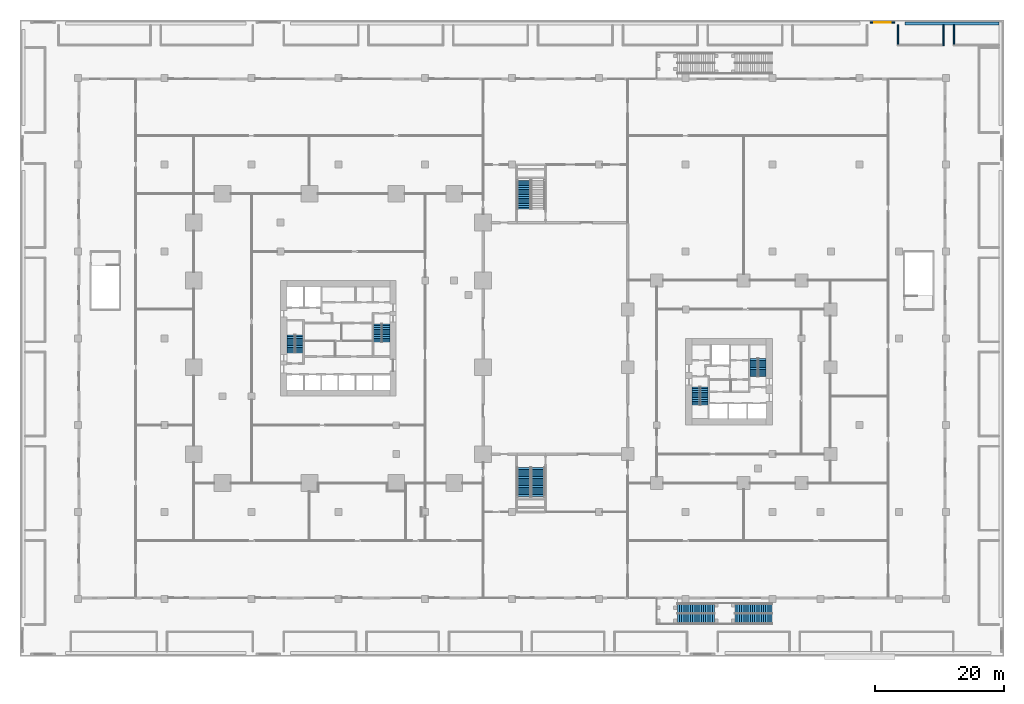
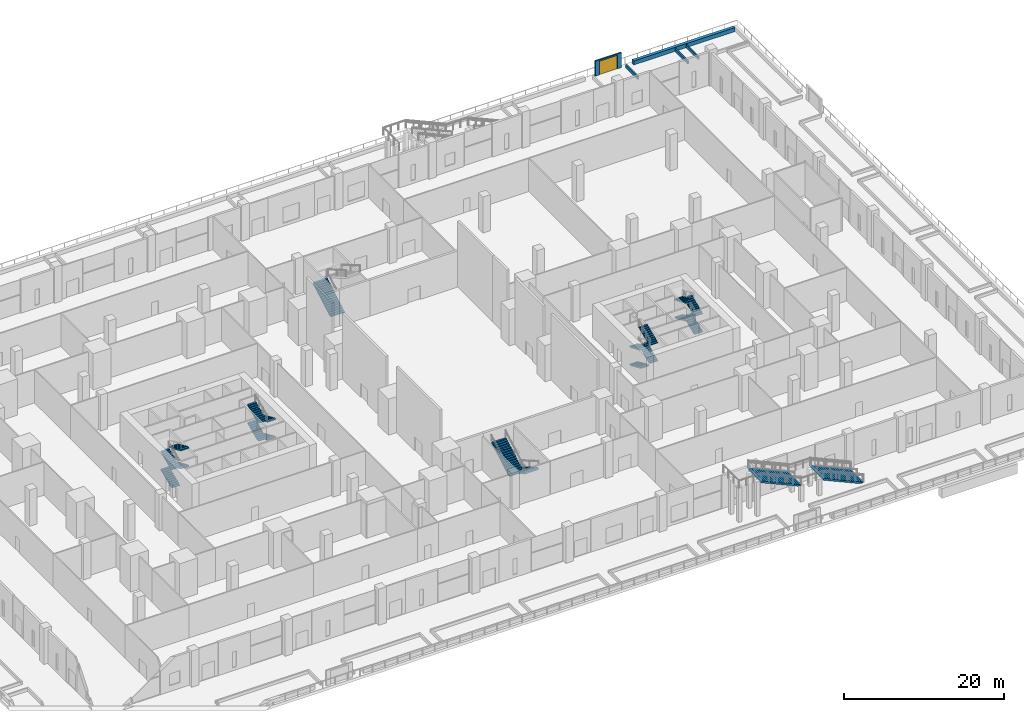
# One storey, part 40 of 47: 21 stair flights, 5 walls, 1 door, 1 opening, 7 elements without a shape of their own.
"""IFC4 building model written with IfcOpenShell, lengths in metres."""

from ifc_helpers import new_model, si_unit, direction, frame, frame_2d, origin, place, context, subcontext, project, spatial, polyline, rectangle, outline, extrude, material, layer, layer_set, type_object, element, fill, aggregate, save


model = new_model("IFC4")

# Units and contexts
model_context = context("Model", 3, precision=1e-05, world=origin(), true_north=direction((0.0, 1.0)))
body_context = subcontext(model_context, "Body", "Model", "MODEL_VIEW")
ifc_project = project(units=[si_unit("LENGTHUNIT", "METRE"), si_unit("AREAUNIT", "SQUARE_METRE"), si_unit("VOLUMEUNIT", "CUBIC_METRE"), si_unit("PLANEANGLEUNIT", "RADIAN"), si_unit("MASSUNIT", "GRAM", prefix="KILO")], contexts=[model_context])

# Site, building, storey
site_placement = place(None, origin())
site = spatial("IfcSite", under=ifc_project, at=site_placement, CompositionType="ELEMENT")
building_placement = place(site_placement, origin())
building = spatial("IfcBuilding", under=site, at=building_placement, Name="Altepetl Exchange Towers", CompositionType="ELEMENT")
storey_placement = place(building_placement, frame((0.0, 0.0, 6.0)))
storey = spatial("IfcBuildingStorey", under=building, at=storey_placement, Name="L01 Retail podium", CompositionType="ELEMENT", Elevation=6.0)

# Wall, opening, door
ifc_material_1 = material(Name="Reinforced concrete C35/45", Category="concrete")
ifc_layer_1 = layer(ifc_material_1, 0.199951171875)
ifc_layer_set_1 = layer_set([ifc_layer_1], Name="Reinforced concrete C35/45")
wall_type_1 = type_object("IfcWallType", Name="Garden gate screen wall 200", PredefinedType="SOLIDWALL", material=ifc_layer_set_1)
wall_1_placement = place(storey_placement, frame((132.199951171875, 98.60009765625, 0.0)))
wall_1 = element("IfcWall", 1, at=wall_1_placement, inside=storey, type_object=wall_type_1, Name="wall:P:L01:gateG8", PredefinedType="SOLIDWALL", context=body_context, shape_type="SweptSolid", body=[
    extrude(rectangle(XDim=3.800048828125, YDim=0.199951171875, at=frame_2d((1.89990234375, 0.0))), origin(), (0.0, 0.0, 1.0), 2.300048828125),
])
opening_placement = place(wall_1_placement, frame((0.60009765625, 0.0, 0.0)))
opening = element("IfcOpeningElement", 2, at=opening_placement, cuts=wall_1, Name="Opening L01.P063", PredefinedType="OPENING", context=body_context, shape_type="SweptSolid", body=[
    extrude(rectangle(XDim=2.60009765625, YDim=2.10009765625, at=frame_2d((1.300048828125, 1.050048828125))), frame((0.0, 0.10986328125, 0.0), z_axis=(0.0, -1.0, 0.0), x_axis=(1.0, 0.0, 0.0)), (0.0, 0.0, 1.0), 0.219970703125),
])
ifc_material_2 = material(Name="Painted steel bars and timber", Category="steel")
door_type = type_object("IfcDoorType", Name="Garden gate 2600 x 2100 double leaf", OperationType="DOUBLE_DOOR_SINGLE_SWING", PredefinedType="GATE", material=ifc_material_2)
door_placement = place(opening_placement, origin())
door = element("IfcDoor", 3, at=door_placement, inside=storey, type_object=door_type, Name="door:P:L01:063", OperationType="DOUBLE_DOOR_SINGLE_SWING", OverallHeight=2.10009765625, OverallWidth=2.60009765625, PredefinedType="GATE", context=body_context, shape_type="SweptSolid", body=[
    extrude(rectangle(XDim=2.60009765625, YDim=2.10009765625, at=frame_2d((1.300048828125, 1.050048828125))), frame((0.0, 0.02490234375, 0.0), z_axis=(0.0, -1.0, 0.0), x_axis=(1.0, 0.0, 0.0)), (0.0, 0.0, 1.0), 0.050048828125),
])
fill(opening, door)

# Walls
ifc_material_3 = material(Name="Concrete C30/37", Category="concrete")
ifc_layer_2 = layer(ifc_material_3, 0.449951171875)
ifc_layer_set_2 = layer_set([ifc_layer_2], Name="Concrete C30/37")
wall_type_2 = type_object("IfcWallType", Name="Planter wall 450 concrete", PredefinedType="SOLIDWALL", material=ifc_layer_set_2)
wall_2_placement = place(storey_placement, frame((152.22509765625, 98.449951171875, 0.0), z_axis=(0.0, 0.0, 1.0), x_axis=(-1.0, 0.0, 0.0)))
element("IfcWall", 4, at=wall_2_placement, inside=storey, type_object=wall_type_2, Name="Planter bed wall", PredefinedType="SOLIDWALL", context=body_context, shape_type="SweptSolid", body=[
    extrude(rectangle(XDim=14.632568359375, YDim=0.449951171875, at=frame_2d((7.31640625, 0.0))), origin(), (0.0, 0.0, 1.0), 0.60009765625),
])
ifc_layer_3 = layer(ifc_material_1, 0.199951171875)
ifc_layer_set_3 = layer_set([ifc_layer_3], Name="Reinforced concrete C35/45")
wall_type_3 = type_object("IfcWallType", Name="Planting bed curb 200", PredefinedType="SOLIDWALL", material=ifc_layer_set_3)
wall_3_placement = place(storey_placement, frame((143.612548828125, 95.02490234375, 0.0), z_axis=(0.0, 0.0, 1.0), x_axis=(0.0, 1.0, 0.0)))
element("IfcWall", 5, at=wall_3_placement, inside=storey, type_object=wall_type_3, Name="wall:P:L01:CB11e", PredefinedType="SOLIDWALL", context=body_context, shape_type="SweptSolid", body=[
    extrude(rectangle(XDim=3.2001953125, YDim=0.199951171875, at=frame_2d((1.60009765625, 0.0))), origin(), (0.0, 0.0, 1.0), 0.449951171875),
])
for number, where, z_axis, x_axis, name in (
    (6, (136.5, 95.22509765625, 0.0), (0.0, 0.0, 1.0), (0.0, 1.0, 0.0), "wall:P:L01:CB11w"),
    (7, (145.21240234375, 95.22509765625, 0.0), (0.0, 0.0, 1.0), (0.0, 1.0, 0.0), "wall:P:L01:CB12w"),
):
    element("IfcWall", number, at=place(storey_placement, frame(where, z_axis=z_axis, x_axis=x_axis)), inside=storey, type_object=wall_type_3, Name=name, PredefinedType="SOLIDWALL", context=body_context, shape_type="SweptSolid", body=[
        extrude(rectangle(XDim=3.0, YDim=0.199951171875, at=frame_2d((1.5, 0.0))), origin(), (0.0, 0.0, 1.0), 0.449951171875),
    ])

# Stair, stair flights
stair_type_1 = type_object("IfcStairType", Name="Exit garden steps 3200", PredefinedType="TWO_STRAIGHT_RUN_STAIR", material=ifc_material_1)
stair_1_placement = place(storey_placement, origin())
stair_1 = element("IfcStair", 8, at=stair_1_placement, inside=storey, type_object=stair_type_1, Name="ST-G7 exit garden steps", PredefinedType="TWO_STRAIGHT_RUN_STAIR")
stair_flight_type_1 = type_object("IfcStairFlightType", Name="Exit garden steps flight 3200", PredefinedType="STRAIGHT", material=ifc_material_1)
stair_flight_1_placement = place(storey_placement, frame((107.97998046875, 6.699951171875, 2.75), z_axis=(0.0, 0.0, 1.0), x_axis=(-1.0, 0.0, 0.0)))
stair_flight_1 = element("IfcStairFlight", 9, at=stair_flight_1_placement, type_object=stair_flight_type_1, Name="ST-G7 flight 1", NumberOfRisers=18, NumberOfTreads=17, PredefinedType="STRAIGHT", RiserHeight=0.152778, TreadLength=0.34, context=body_context, shape_type="SweptSolid", body=[
    extrude(outline(polyline([(0.0, 0.0), (0.0, 0.15283203125), (0.340087890625, 0.15283203125), (0.340087890625, 0.3056640625), (0.679931640625, 0.3056640625), (0.679931640625, 0.458251953125), (1.02001953125, 0.458251953125), (1.02001953125, 0.611083984375), (1.360107421875, 0.611083984375), (1.360107421875, 0.763916015625), (1.699951171875, 0.763916015625), (1.699951171875, 0.916748046875), (2.0400390625, 0.916748046875), (2.0400390625, 1.0693359375), (2.3798828125, 1.0693359375), (2.3798828125, 1.22216796875), (2.719970703125, 1.22216796875), (2.719970703125, 1.375), (3.06005859375, 1.375), (3.06005859375, 1.52783203125), (3.39990234375, 1.52783203125), (3.39990234375, 1.6806640625), (3.739990234375, 1.6806640625), (3.739990234375, 1.833251953125), (4.080078125, 1.833251953125), (4.080078125, 1.986083984375), (4.419921875, 1.986083984375), (4.419921875, 2.138916015625), (4.760009765625, 2.138916015625), (4.760009765625, 2.291748046875), (5.10009765625, 2.291748046875), (5.10009765625, 2.4443359375), (5.43994140625, 2.4443359375), (5.43994140625, 2.59716796875), (5.780029296875, 2.59716796875), (5.780029296875, 2.75), (5.780029296875, 2.3779296875), (0.48779296875, 0.0), (0.0, 0.0)])), frame((0.0, 1.60009765625, 0.0), z_axis=(0.0, -1.0, 0.0), x_axis=(1.0, 0.0, 0.0)), (0.0, 0.0, 1.0), 3.199951171875),
])
stair_flight_2_placement = place(storey_placement, frame((116.9599609375, 6.699951171875, 0.0), z_axis=(0.0, 0.0, 1.0), x_axis=(-1.0, 0.0, 0.0)))
stair_flight_2 = element("IfcStairFlight", 10, at=stair_flight_2_placement, type_object=stair_flight_type_1, Name="ST-G7 flight 2", NumberOfRisers=18, NumberOfTreads=17, PredefinedType="STRAIGHT", RiserHeight=0.152778, TreadLength=0.34, context=body_context, shape_type="SweptSolid", body=[
    extrude(outline(polyline([(0.0, 0.0), (0.0, 0.15283203125), (0.340087890625, 0.15283203125), (0.340087890625, 0.3056640625), (0.679931640625, 0.3056640625), (0.679931640625, 0.458251953125), (1.02001953125, 0.458251953125), (1.02001953125, 0.611083984375), (1.360107421875, 0.611083984375), (1.360107421875, 0.763916015625), (1.699951171875, 0.763916015625), (1.699951171875, 0.916748046875), (2.0400390625, 0.916748046875), (2.0400390625, 1.0693359375), (2.3798828125, 1.0693359375), (2.3798828125, 1.22216796875), (2.719970703125, 1.22216796875), (2.719970703125, 1.375), (3.06005859375, 1.375), (3.06005859375, 1.52783203125), (3.39990234375, 1.52783203125), (3.39990234375, 1.6806640625), (3.739990234375, 1.6806640625), (3.739990234375, 1.833251953125), (4.080078125, 1.833251953125), (4.080078125, 1.986083984375), (4.419921875, 1.986083984375), (4.419921875, 2.138916015625), (4.760009765625, 2.138916015625), (4.760009765625, 2.291748046875), (5.10009765625, 2.291748046875), (5.10009765625, 2.4443359375), (5.43994140625, 2.4443359375), (5.43994140625, 2.59716796875), (5.780029296875, 2.59716796875), (5.780029296875, 2.75), (5.780029296875, 2.3779296875), (0.48779296875, 0.0), (0.0, 0.0)])), frame((0.0, 1.60009765625, 0.0), z_axis=(0.0, -1.0, 0.0), x_axis=(1.0, 0.0, 0.0)), (0.0, 0.0, 1.0), 3.199951171875),
])
aggregate(stair_1, [stair_flight_1, stair_flight_2])

ifc_material_4 = material(Name="Concrete C40/50", Category="concrete")
stair_type_2 = type_object("IfcStairType", Name="Exit stair 1200 flights dogleg", PredefinedType="HALF_TURN_STAIR", material=ifc_material_4)
stair_2_placement = place(storey_placement, origin())
stair_2 = element("IfcStair", 11, at=stair_2_placement, inside=storey, type_object=stair_type_2, Name="Exit stair 1", PredefinedType="HALF_TURN_STAIR")
stair_flight_type_2 = type_object("IfcStairFlightType", Name="Stair flight 1200 wide", PredefinedType="STRAIGHT", material=ifc_material_4)
stair_flight_3_placement = place(storey_placement, frame((42.10009765625, 47.25, 0.0), z_axis=(0.0, 0.0, 1.0), x_axis=(0.0, 1.0, 0.0)))
stair_flight_3 = element("IfcStairFlight", 12, at=stair_flight_3_placement, type_object=stair_flight_type_2, Name="ST-A1a flight 1", NumberOfRisers=11, NumberOfTreads=10, PredefinedType="STRAIGHT", RiserHeight=0.125, TreadLength=0.28, context=body_context, shape_type="SweptSolid", body=[
    extrude(outline(polyline([(0.0, 0.0), (0.0, 0.125), (0.280029296875, 0.125), (0.280029296875, 0.25), (0.56005859375, 0.25), (0.56005859375, 0.375), (0.840087890625, 0.375), (0.840087890625, 0.5), (1.1201171875, 0.5), (1.1201171875, 0.625), (1.39990234375, 0.625), (1.39990234375, 0.75), (1.679931640625, 0.75), (1.679931640625, 0.875), (1.9599609375, 0.875), (1.9599609375, 1.0), (2.239990234375, 1.0), (2.239990234375, 1.125), (2.52001953125, 1.125), (2.52001953125, 1.25), (2.800048828125, 1.25), (2.800048828125, 1.375), (2.800048828125, 1.0859375), (0.36767578125, 0.0), (0.0, 0.0)])), frame((0.0, 0.60009765625, 0.0), z_axis=(0.0, -1.0, 0.0), x_axis=(1.0, 0.0, 0.0)), (0.0, 0.0, 1.0), 1.199951171875),
])
stair_flight_4_placement = place(storey_placement, frame((43.39990234375, 50.050048828125, 1.375), z_axis=(0.0, 0.0, 1.0), x_axis=(0.0, -1.0, 0.0)))
stair_flight_4 = element("IfcStairFlight", 13, at=stair_flight_4_placement, type_object=stair_flight_type_2, Name="ST-A1a flight 2", NumberOfRisers=11, NumberOfTreads=10, PredefinedType="STRAIGHT", RiserHeight=0.125, TreadLength=0.28, context=body_context, shape_type="SweptSolid", body=[
    extrude(outline(polyline([(0.0, 0.0), (0.0, 0.125), (0.280029296875, 0.125), (0.280029296875, 0.25), (0.56005859375, 0.25), (0.56005859375, 0.375), (0.840087890625, 0.375), (0.840087890625, 0.5), (1.1201171875, 0.5), (1.1201171875, 0.625), (1.39990234375, 0.625), (1.39990234375, 0.75), (1.679931640625, 0.75), (1.679931640625, 0.875), (1.9599609375, 0.875), (1.9599609375, 1.0), (2.239990234375, 1.0), (2.239990234375, 1.125), (2.52001953125, 1.125), (2.52001953125, 1.25), (2.800048828125, 1.25), (2.800048828125, 1.375), (2.800048828125, 1.0859375), (0.36767578125, 0.0), (0.0, 0.0)])), frame((0.0, 0.60009765625, 0.0), z_axis=(0.0, -1.0, 0.0), x_axis=(1.0, 0.0, 0.0)), (0.0, 0.0, 1.0), 1.199951171875),
])
stair_flight_5_placement = place(storey_placement, frame((42.10009765625, 47.25, 2.75), z_axis=(0.0, 0.0, 1.0), x_axis=(0.0, 1.0, 0.0)))
stair_flight_5 = element("IfcStairFlight", 14, at=stair_flight_5_placement, type_object=stair_flight_type_2, Name="ST-A1a flight 3", NumberOfRisers=11, NumberOfTreads=10, PredefinedType="STRAIGHT", RiserHeight=0.125, TreadLength=0.28, context=body_context, shape_type="SweptSolid", body=[
    extrude(outline(polyline([(0.0, 0.0), (0.0, 0.125), (0.280029296875, 0.125), (0.280029296875, 0.25), (0.56005859375, 0.25), (0.56005859375, 0.375), (0.840087890625, 0.375), (0.840087890625, 0.5), (1.1201171875, 0.5), (1.1201171875, 0.625), (1.39990234375, 0.625), (1.39990234375, 0.75), (1.679931640625, 0.75), (1.679931640625, 0.875), (1.9599609375, 0.875), (1.9599609375, 1.0), (2.239990234375, 1.0), (2.239990234375, 1.125), (2.52001953125, 1.125), (2.52001953125, 1.25), (2.800048828125, 1.25), (2.800048828125, 1.375), (2.800048828125, 1.0859375), (0.36767578125, 0.0), (0.0, 0.0)])), frame((0.0, 0.60009765625, 0.0), z_axis=(0.0, -1.0, 0.0), x_axis=(1.0, 0.0, 0.0)), (0.0, 0.0, 1.0), 1.199951171875),
])
stair_flight_6_placement = place(storey_placement, frame((43.39990234375, 50.050048828125, 4.125), z_axis=(0.0, 0.0, 1.0), x_axis=(0.0, -1.0, 0.0)))
stair_flight_6 = element("IfcStairFlight", 15, at=stair_flight_6_placement, type_object=stair_flight_type_2, Name="ST-A1a flight 4", NumberOfRisers=11, NumberOfTreads=10, PredefinedType="STRAIGHT", RiserHeight=0.125, TreadLength=0.28, context=body_context, shape_type="SweptSolid", body=[
    extrude(outline(polyline([(0.0, 0.0), (0.0, 0.125), (0.280029296875, 0.125), (0.280029296875, 0.25), (0.56005859375, 0.25), (0.56005859375, 0.375), (0.840087890625, 0.375), (0.840087890625, 0.5), (1.1201171875, 0.5), (1.1201171875, 0.625), (1.39990234375, 0.625), (1.39990234375, 0.75), (1.679931640625, 0.75), (1.679931640625, 0.875), (1.9599609375, 0.875), (1.9599609375, 1.0), (2.239990234375, 1.0), (2.239990234375, 1.125), (2.52001953125, 1.125), (2.52001953125, 1.25), (2.800048828125, 1.25), (2.800048828125, 1.375), (2.800048828125, 1.0859375), (0.36767578125, 0.0), (0.0, 0.0)])), frame((0.0, 0.60009765625, 0.0), z_axis=(0.0, -1.0, 0.0), x_axis=(1.0, 0.0, 0.0)), (0.0, 0.0, 1.0), 1.199951171875),
])
aggregate(stair_2, [stair_flight_3, stair_flight_4, stair_flight_5, stair_flight_6])

stair_3_placement = place(storey_placement, origin())
stair_3 = element("IfcStair", 16, at=stair_3_placement, inside=storey, type_object=stair_type_2, Name="Exit stair 2", PredefinedType="HALF_TURN_STAIR")
stair_flight_7_placement = place(storey_placement, frame((56.89990234375, 51.75, 0.0), z_axis=(0.0, 0.0, 1.0), x_axis=(0.0, -1.0, 0.0)))
stair_flight_7 = element("IfcStairFlight", 17, at=stair_flight_7_placement, type_object=stair_flight_type_2, Name="ST-A2a flight 1", NumberOfRisers=11, NumberOfTreads=10, PredefinedType="STRAIGHT", RiserHeight=0.125, TreadLength=0.28, context=body_context, shape_type="SweptSolid", body=[
    extrude(outline(polyline([(0.0, 0.0), (0.0, 0.125), (0.280029296875, 0.125), (0.280029296875, 0.25), (0.56005859375, 0.25), (0.56005859375, 0.375), (0.840087890625, 0.375), (0.840087890625, 0.5), (1.1201171875, 0.5), (1.1201171875, 0.625), (1.39990234375, 0.625), (1.39990234375, 0.75), (1.679931640625, 0.75), (1.679931640625, 0.875), (1.9599609375, 0.875), (1.9599609375, 1.0), (2.239990234375, 1.0), (2.239990234375, 1.125), (2.52001953125, 1.125), (2.52001953125, 1.25), (2.800048828125, 1.25), (2.800048828125, 1.375), (2.800048828125, 1.0859375), (0.36767578125, 0.0), (0.0, 0.0)])), frame((0.0, 0.60009765625, 0.0), z_axis=(0.0, -1.0, 0.0), x_axis=(1.0, 0.0, 0.0)), (0.0, 0.0, 1.0), 1.199951171875),
])
stair_flight_8_placement = place(storey_placement, frame((55.60009765625, 48.949951171875, 1.375), z_axis=(0.0, 0.0, 1.0), x_axis=(0.0, 1.0, 0.0)))
stair_flight_8 = element("IfcStairFlight", 18, at=stair_flight_8_placement, type_object=stair_flight_type_2, Name="ST-A2a flight 2", NumberOfRisers=11, NumberOfTreads=10, PredefinedType="STRAIGHT", RiserHeight=0.125, TreadLength=0.28, context=body_context, shape_type="SweptSolid", body=[
    extrude(outline(polyline([(0.0, 0.0), (0.0, 0.125), (0.280029296875, 0.125), (0.280029296875, 0.25), (0.56005859375, 0.25), (0.56005859375, 0.375), (0.840087890625, 0.375), (0.840087890625, 0.5), (1.1201171875, 0.5), (1.1201171875, 0.625), (1.39990234375, 0.625), (1.39990234375, 0.75), (1.679931640625, 0.75), (1.679931640625, 0.875), (1.9599609375, 0.875), (1.9599609375, 1.0), (2.239990234375, 1.0), (2.239990234375, 1.125), (2.52001953125, 1.125), (2.52001953125, 1.25), (2.800048828125, 1.25), (2.800048828125, 1.375), (2.800048828125, 1.0859375), (0.36767578125, 0.0), (0.0, 0.0)])), frame((0.0, 0.60009765625, 0.0), z_axis=(0.0, -1.0, 0.0), x_axis=(1.0, 0.0, 0.0)), (0.0, 0.0, 1.0), 1.199951171875),
])
stair_flight_9_placement = place(storey_placement, frame((56.89990234375, 51.75, 2.75), z_axis=(0.0, 0.0, 1.0), x_axis=(0.0, -1.0, 0.0)))
stair_flight_9 = element("IfcStairFlight", 19, at=stair_flight_9_placement, type_object=stair_flight_type_2, Name="ST-A2a flight 3", NumberOfRisers=11, NumberOfTreads=10, PredefinedType="STRAIGHT", RiserHeight=0.125, TreadLength=0.28, context=body_context, shape_type="SweptSolid", body=[
    extrude(outline(polyline([(0.0, 0.0), (0.0, 0.125), (0.280029296875, 0.125), (0.280029296875, 0.25), (0.56005859375, 0.25), (0.56005859375, 0.375), (0.840087890625, 0.375), (0.840087890625, 0.5), (1.1201171875, 0.5), (1.1201171875, 0.625), (1.39990234375, 0.625), (1.39990234375, 0.75), (1.679931640625, 0.75), (1.679931640625, 0.875), (1.9599609375, 0.875), (1.9599609375, 1.0), (2.239990234375, 1.0), (2.239990234375, 1.125), (2.52001953125, 1.125), (2.52001953125, 1.25), (2.800048828125, 1.25), (2.800048828125, 1.375), (2.800048828125, 1.0859375), (0.36767578125, 0.0), (0.0, 0.0)])), frame((0.0, 0.60009765625, 0.0), z_axis=(0.0, -1.0, 0.0), x_axis=(1.0, 0.0, 0.0)), (0.0, 0.0, 1.0), 1.199951171875),
])
stair_flight_10_placement = place(storey_placement, frame((55.60009765625, 48.949951171875, 4.125), z_axis=(0.0, 0.0, 1.0), x_axis=(0.0, 1.0, 0.0)))
stair_flight_10 = element("IfcStairFlight", 20, at=stair_flight_10_placement, type_object=stair_flight_type_2, Name="ST-A2a flight 4", NumberOfRisers=11, NumberOfTreads=10, PredefinedType="STRAIGHT", RiserHeight=0.125, TreadLength=0.28, context=body_context, shape_type="SweptSolid", body=[
    extrude(outline(polyline([(0.0, 0.0), (0.0, 0.125), (0.280029296875, 0.125), (0.280029296875, 0.25), (0.56005859375, 0.25), (0.56005859375, 0.375), (0.840087890625, 0.375), (0.840087890625, 0.5), (1.1201171875, 0.5), (1.1201171875, 0.625), (1.39990234375, 0.625), (1.39990234375, 0.75), (1.679931640625, 0.75), (1.679931640625, 0.875), (1.9599609375, 0.875), (1.9599609375, 1.0), (2.239990234375, 1.0), (2.239990234375, 1.125), (2.52001953125, 1.125), (2.52001953125, 1.25), (2.800048828125, 1.25), (2.800048828125, 1.375), (2.800048828125, 1.0859375), (0.36767578125, 0.0), (0.0, 0.0)])), frame((0.0, 0.60009765625, 0.0), z_axis=(0.0, -1.0, 0.0), x_axis=(1.0, 0.0, 0.0)), (0.0, 0.0, 1.0), 1.199951171875),
])
aggregate(stair_3, [stair_flight_7, stair_flight_8, stair_flight_9, stair_flight_10])

stair_4_placement = place(storey_placement, origin())
stair_4 = element("IfcStair", 21, at=stair_4_placement, inside=storey, type_object=stair_type_2, Name="Exit stair 1", PredefinedType="HALF_TURN_STAIR")
stair_flight_11_placement = place(storey_placement, frame((105.10009765625, 41.949951171875, 0.0), z_axis=(0.0, 0.0, 1.0), x_axis=(0.0, -1.0, 0.0)))
stair_flight_11 = element("IfcStairFlight", 22, at=stair_flight_11_placement, type_object=stair_flight_type_2, Name="ST-B1a flight 1", NumberOfRisers=11, NumberOfTreads=10, PredefinedType="STRAIGHT", RiserHeight=0.125, TreadLength=0.28, context=body_context, shape_type="SweptSolid", body=[
    extrude(outline(polyline([(0.0, 0.0), (0.0, 0.125), (0.280029296875, 0.125), (0.280029296875, 0.25), (0.56005859375, 0.25), (0.56005859375, 0.375), (0.840087890625, 0.375), (0.840087890625, 0.5), (1.1201171875, 0.5), (1.1201171875, 0.625), (1.39990234375, 0.625), (1.39990234375, 0.75), (1.679931640625, 0.75), (1.679931640625, 0.875), (1.9599609375, 0.875), (1.9599609375, 1.0), (2.239990234375, 1.0), (2.239990234375, 1.125), (2.52001953125, 1.125), (2.52001953125, 1.25), (2.800048828125, 1.25), (2.800048828125, 1.375), (2.800048828125, 1.0859375), (0.36767578125, 0.0), (0.0, 0.0)])), frame((0.0, 0.60009765625, 0.0), z_axis=(0.0, -1.0, 0.0), x_axis=(1.0, 0.0, 0.0)), (0.0, 0.0, 1.0), 1.199951171875),
])
stair_flight_12_placement = place(storey_placement, frame((106.39990234375, 39.14990234375, 1.375), z_axis=(0.0, 0.0, 1.0), x_axis=(0.0, 1.0, 0.0)))
stair_flight_12 = element("IfcStairFlight", 23, at=stair_flight_12_placement, type_object=stair_flight_type_2, Name="ST-B1a flight 2", NumberOfRisers=11, NumberOfTreads=10, PredefinedType="STRAIGHT", RiserHeight=0.125, TreadLength=0.28, context=body_context, shape_type="SweptSolid", body=[
    extrude(outline(polyline([(0.0, 0.0), (0.0, 0.125), (0.280029296875, 0.125), (0.280029296875, 0.25), (0.56005859375, 0.25), (0.56005859375, 0.375), (0.840087890625, 0.375), (0.840087890625, 0.5), (1.1201171875, 0.5), (1.1201171875, 0.625), (1.39990234375, 0.625), (1.39990234375, 0.75), (1.679931640625, 0.75), (1.679931640625, 0.875), (1.9599609375, 0.875), (1.9599609375, 1.0), (2.239990234375, 1.0), (2.239990234375, 1.125), (2.52001953125, 1.125), (2.52001953125, 1.25), (2.800048828125, 1.25), (2.800048828125, 1.375), (2.800048828125, 1.0859375), (0.36767578125, 0.0), (0.0, 0.0)])), frame((0.0, 0.60009765625, 0.0), z_axis=(0.0, -1.0, 0.0), x_axis=(1.0, 0.0, 0.0)), (0.0, 0.0, 1.0), 1.199951171875),
])
stair_flight_13_placement = place(storey_placement, frame((105.10009765625, 41.949951171875, 2.75), z_axis=(0.0, 0.0, 1.0), x_axis=(0.0, -1.0, 0.0)))
stair_flight_13 = element("IfcStairFlight", 24, at=stair_flight_13_placement, type_object=stair_flight_type_2, Name="ST-B1a flight 3", NumberOfRisers=11, NumberOfTreads=10, PredefinedType="STRAIGHT", RiserHeight=0.125, TreadLength=0.28, context=body_context, shape_type="SweptSolid", body=[
    extrude(outline(polyline([(0.0, 0.0), (0.0, 0.125), (0.280029296875, 0.125), (0.280029296875, 0.25), (0.56005859375, 0.25), (0.56005859375, 0.375), (0.840087890625, 0.375), (0.840087890625, 0.5), (1.1201171875, 0.5), (1.1201171875, 0.625), (1.39990234375, 0.625), (1.39990234375, 0.75), (1.679931640625, 0.75), (1.679931640625, 0.875), (1.9599609375, 0.875), (1.9599609375, 1.0), (2.239990234375, 1.0), (2.239990234375, 1.125), (2.52001953125, 1.125), (2.52001953125, 1.25), (2.800048828125, 1.25), (2.800048828125, 1.375), (2.800048828125, 1.0859375), (0.36767578125, 0.0), (0.0, 0.0)])), frame((0.0, 0.60009765625, 0.0), z_axis=(0.0, -1.0, 0.0), x_axis=(1.0, 0.0, 0.0)), (0.0, 0.0, 1.0), 1.199951171875),
])
stair_flight_14_placement = place(storey_placement, frame((106.39990234375, 39.14990234375, 4.125), z_axis=(0.0, 0.0, 1.0), x_axis=(0.0, 1.0, 0.0)))
stair_flight_14 = element("IfcStairFlight", 25, at=stair_flight_14_placement, type_object=stair_flight_type_2, Name="ST-B1a flight 4", NumberOfRisers=11, NumberOfTreads=10, PredefinedType="STRAIGHT", RiserHeight=0.125, TreadLength=0.28, context=body_context, shape_type="SweptSolid", body=[
    extrude(outline(polyline([(0.0, 0.0), (0.0, 0.125), (0.280029296875, 0.125), (0.280029296875, 0.25), (0.56005859375, 0.25), (0.56005859375, 0.375), (0.840087890625, 0.375), (0.840087890625, 0.5), (1.1201171875, 0.5), (1.1201171875, 0.625), (1.39990234375, 0.625), (1.39990234375, 0.75), (1.679931640625, 0.75), (1.679931640625, 0.875), (1.9599609375, 0.875), (1.9599609375, 1.0), (2.239990234375, 1.0), (2.239990234375, 1.125), (2.52001953125, 1.125), (2.52001953125, 1.25), (2.800048828125, 1.25), (2.800048828125, 1.375), (2.800048828125, 1.0859375), (0.36767578125, 0.0), (0.0, 0.0)])), frame((0.0, 0.60009765625, 0.0), z_axis=(0.0, -1.0, 0.0), x_axis=(1.0, 0.0, 0.0)), (0.0, 0.0, 1.0), 1.199951171875),
])
aggregate(stair_4, [stair_flight_11, stair_flight_12, stair_flight_13, stair_flight_14])

stair_5_placement = place(storey_placement, origin())
stair_5 = element("IfcStair", 26, at=stair_5_placement, inside=storey, type_object=stair_type_2, Name="Exit stair 2", PredefinedType="HALF_TURN_STAIR")
stair_flight_15_placement = place(storey_placement, frame((115.39990234375, 43.550048828125, 0.0), z_axis=(0.0, 0.0, 1.0), x_axis=(0.0, 1.0, 0.0)))
stair_flight_15 = element("IfcStairFlight", 27, at=stair_flight_15_placement, type_object=stair_flight_type_2, Name="ST-B2a flight 1", NumberOfRisers=11, NumberOfTreads=10, PredefinedType="STRAIGHT", RiserHeight=0.125, TreadLength=0.28, context=body_context, shape_type="SweptSolid", body=[
    extrude(outline(polyline([(0.0, 0.0), (0.0, 0.125), (0.280029296875, 0.125), (0.280029296875, 0.25), (0.56005859375, 0.25), (0.56005859375, 0.375), (0.840087890625, 0.375), (0.840087890625, 0.5), (1.1201171875, 0.5), (1.1201171875, 0.625), (1.39990234375, 0.625), (1.39990234375, 0.75), (1.679931640625, 0.75), (1.679931640625, 0.875), (1.9599609375, 0.875), (1.9599609375, 1.0), (2.239990234375, 1.0), (2.239990234375, 1.125), (2.52001953125, 1.125), (2.52001953125, 1.25), (2.800048828125, 1.25), (2.800048828125, 1.375), (2.800048828125, 1.0859375), (0.36767578125, 0.0), (0.0, 0.0)])), frame((0.0, 0.60009765625, 0.0), z_axis=(0.0, -1.0, 0.0), x_axis=(1.0, 0.0, 0.0)), (0.0, 0.0, 1.0), 1.199951171875),
])
stair_flight_16_placement = place(storey_placement, frame((114.10009765625, 46.35009765625, 1.375), z_axis=(0.0, 0.0, 1.0), x_axis=(0.0, -1.0, 0.0)))
stair_flight_16 = element("IfcStairFlight", 28, at=stair_flight_16_placement, type_object=stair_flight_type_2, Name="ST-B2a flight 2", NumberOfRisers=11, NumberOfTreads=10, PredefinedType="STRAIGHT", RiserHeight=0.125, TreadLength=0.28, context=body_context, shape_type="SweptSolid", body=[
    extrude(outline(polyline([(0.0, 0.0), (0.0, 0.125), (0.280029296875, 0.125), (0.280029296875, 0.25), (0.56005859375, 0.25), (0.56005859375, 0.375), (0.840087890625, 0.375), (0.840087890625, 0.5), (1.1201171875, 0.5), (1.1201171875, 0.625), (1.39990234375, 0.625), (1.39990234375, 0.75), (1.679931640625, 0.75), (1.679931640625, 0.875), (1.9599609375, 0.875), (1.9599609375, 1.0), (2.239990234375, 1.0), (2.239990234375, 1.125), (2.52001953125, 1.125), (2.52001953125, 1.25), (2.800048828125, 1.25), (2.800048828125, 1.375), (2.800048828125, 1.0859375), (0.36767578125, 0.0), (0.0, 0.0)])), frame((0.0, 0.60009765625, 0.0), z_axis=(0.0, -1.0, 0.0), x_axis=(1.0, 0.0, 0.0)), (0.0, 0.0, 1.0), 1.199951171875),
])
stair_flight_17_placement = place(storey_placement, frame((115.39990234375, 43.550048828125, 2.75), z_axis=(0.0, 0.0, 1.0), x_axis=(0.0, 1.0, 0.0)))
stair_flight_17 = element("IfcStairFlight", 29, at=stair_flight_17_placement, type_object=stair_flight_type_2, Name="ST-B2a flight 3", NumberOfRisers=11, NumberOfTreads=10, PredefinedType="STRAIGHT", RiserHeight=0.125, TreadLength=0.28, context=body_context, shape_type="SweptSolid", body=[
    extrude(outline(polyline([(0.0, 0.0), (0.0, 0.125), (0.280029296875, 0.125), (0.280029296875, 0.25), (0.56005859375, 0.25), (0.56005859375, 0.375), (0.840087890625, 0.375), (0.840087890625, 0.5), (1.1201171875, 0.5), (1.1201171875, 0.625), (1.39990234375, 0.625), (1.39990234375, 0.75), (1.679931640625, 0.75), (1.679931640625, 0.875), (1.9599609375, 0.875), (1.9599609375, 1.0), (2.239990234375, 1.0), (2.239990234375, 1.125), (2.52001953125, 1.125), (2.52001953125, 1.25), (2.800048828125, 1.25), (2.800048828125, 1.375), (2.800048828125, 1.0859375), (0.36767578125, 0.0), (0.0, 0.0)])), frame((0.0, 0.60009765625, 0.0), z_axis=(0.0, -1.0, 0.0), x_axis=(1.0, 0.0, 0.0)), (0.0, 0.0, 1.0), 1.199951171875),
])
stair_flight_18_placement = place(storey_placement, frame((114.10009765625, 46.35009765625, 4.125), z_axis=(0.0, 0.0, 1.0), x_axis=(0.0, -1.0, 0.0)))
stair_flight_18 = element("IfcStairFlight", 30, at=stair_flight_18_placement, type_object=stair_flight_type_2, Name="ST-B2a flight 4", NumberOfRisers=11, NumberOfTreads=10, PredefinedType="STRAIGHT", RiserHeight=0.125, TreadLength=0.28, context=body_context, shape_type="SweptSolid", body=[
    extrude(outline(polyline([(0.0, 0.0), (0.0, 0.125), (0.280029296875, 0.125), (0.280029296875, 0.25), (0.56005859375, 0.25), (0.56005859375, 0.375), (0.840087890625, 0.375), (0.840087890625, 0.5), (1.1201171875, 0.5), (1.1201171875, 0.625), (1.39990234375, 0.625), (1.39990234375, 0.75), (1.679931640625, 0.75), (1.679931640625, 0.875), (1.9599609375, 0.875), (1.9599609375, 1.0), (2.239990234375, 1.0), (2.239990234375, 1.125), (2.52001953125, 1.125), (2.52001953125, 1.25), (2.800048828125, 1.25), (2.800048828125, 1.375), (2.800048828125, 1.0859375), (0.36767578125, 0.0), (0.0, 0.0)])), frame((0.0, 0.60009765625, 0.0), z_axis=(0.0, -1.0, 0.0), x_axis=(1.0, 0.0, 0.0)), (0.0, 0.0, 1.0), 1.199951171875),
])
aggregate(stair_5, [stair_flight_15, stair_flight_16, stair_flight_17, stair_flight_18])

stair_type_3 = type_object("IfcStairType", Name="Exit half-turn stair 2025", PredefinedType="HALF_TURN_STAIR", material=ifc_material_1)
stair_6_placement = place(storey_placement, origin())
stair_6 = element("IfcStair", 31, at=stair_6_placement, inside=storey, type_object=stair_type_3, Name="ST-P9 stair", PredefinedType="HALF_TURN_STAIR")
stair_flight_type_3 = type_object("IfcStairFlightType", Name="Stair flight 2025", PredefinedType="STRAIGHT", material=ifc_material_1)
stair_flight_19_placement = place(storey_placement, frame((80.53759765625, 29.39990234375, 0.0), z_axis=(0.0, 0.0, 1.0), x_axis=(0.0, -1.0, 0.0)))
stair_flight_19 = element("IfcStairFlight", 32, at=stair_flight_19_placement, type_object=stair_flight_type_3, Name="ST-P9 flight 1", NumberOfRisers=17, NumberOfTreads=16, PredefinedType="STRAIGHT", RiserHeight=0.161765, TreadLength=0.28, context=body_context, shape_type="SweptSolid", body=[
    extrude(outline(polyline([(0.0, 0.0), (0.0, 0.161865234375), (0.280029296875, 0.161865234375), (0.280029296875, 0.323486328125), (0.56005859375, 0.323486328125), (0.56005859375, 0.4853515625), (0.840087890625, 0.4853515625), (0.840087890625, 0.64697265625), (1.1201171875, 0.64697265625), (1.1201171875, 0.808837890625), (1.39990234375, 0.808837890625), (1.39990234375, 0.970703125), (1.679931640625, 0.970703125), (1.679931640625, 1.13232421875), (1.9599609375, 1.13232421875), (1.9599609375, 1.294189453125), (2.239990234375, 1.294189453125), (2.239990234375, 1.455810546875), (2.52001953125, 1.455810546875), (2.52001953125, 1.61767578125), (2.800048828125, 1.61767578125), (2.800048828125, 1.779296875), (3.080078125, 1.779296875), (3.080078125, 1.941162109375), (3.360107421875, 1.941162109375), (3.360107421875, 2.10302734375), (3.639892578125, 2.10302734375), (3.639892578125, 2.2646484375), (3.919921875, 2.2646484375), (3.919921875, 2.426513671875), (4.199951171875, 2.426513671875), (4.199951171875, 2.588134765625), (4.47998046875, 2.588134765625), (4.47998046875, 2.75), (4.47998046875, 2.357421875), (0.399658203125, 0.0), (0.0, 0.0)])), frame((0.0, 1.012451171875, 0.0), z_axis=(0.0, -1.0, 0.0), x_axis=(1.0, 0.0, 0.0)), (0.0, 0.0, 1.0), 2.02490234375),
])
stair_flight_20_placement = place(storey_placement, frame((78.362548828125, 24.919921875, 2.75), z_axis=(0.0, 0.0, 1.0), x_axis=(0.0, 1.0, 0.0)))
stair_flight_20 = element("IfcStairFlight", 33, at=stair_flight_20_placement, type_object=stair_flight_type_3, Name="ST-P9 flight 2", NumberOfRisers=17, NumberOfTreads=16, PredefinedType="STRAIGHT", RiserHeight=0.161765, TreadLength=0.28, context=body_context, shape_type="SweptSolid", body=[
    extrude(outline(polyline([(0.0, 0.0), (0.0, 0.161865234375), (0.280029296875, 0.161865234375), (0.280029296875, 0.323486328125), (0.56005859375, 0.323486328125), (0.56005859375, 0.4853515625), (0.840087890625, 0.4853515625), (0.840087890625, 0.64697265625), (1.1201171875, 0.64697265625), (1.1201171875, 0.808837890625), (1.39990234375, 0.808837890625), (1.39990234375, 0.970703125), (1.679931640625, 0.970703125), (1.679931640625, 1.13232421875), (1.9599609375, 1.13232421875), (1.9599609375, 1.294189453125), (2.239990234375, 1.294189453125), (2.239990234375, 1.455810546875), (2.52001953125, 1.455810546875), (2.52001953125, 1.61767578125), (2.800048828125, 1.61767578125), (2.800048828125, 1.779296875), (3.080078125, 1.779296875), (3.080078125, 1.941162109375), (3.360107421875, 1.941162109375), (3.360107421875, 2.10302734375), (3.639892578125, 2.10302734375), (3.639892578125, 2.2646484375), (3.919921875, 2.2646484375), (3.919921875, 2.426513671875), (4.199951171875, 2.426513671875), (4.199951171875, 2.588134765625), (4.47998046875, 2.588134765625), (4.47998046875, 2.75), (4.47998046875, 2.357421875), (0.399658203125, 0.0), (0.0, 0.0)])), frame((0.0, 1.012451171875, 0.0), z_axis=(0.0, -1.0, 0.0), x_axis=(1.0, 0.0, 0.0)), (0.0, 0.0, 1.0), 2.02490234375),
])
aggregate(stair_6, [stair_flight_19, stair_flight_20])

# Stair, stair flight
stair_7_placement = place(storey_placement, origin())
stair_7 = element("IfcStair", 34, at=stair_7_placement, inside=storey, type_object=stair_type_3, Name="ST-P10 stair", PredefinedType="HALF_TURN_STAIR")
stair_flight_21_placement = place(storey_placement, frame((78.362548828125, 69.60009765625, 0.0), z_axis=(0.0, 0.0, 1.0), x_axis=(0.0, 1.0, 0.0)))
stair_flight_21 = element("IfcStairFlight", 35, at=stair_flight_21_placement, type_object=stair_flight_type_3, Name="ST-P10 flight 1", NumberOfRisers=17, NumberOfTreads=16, PredefinedType="STRAIGHT", RiserHeight=0.161765, TreadLength=0.28, context=body_context, shape_type="SweptSolid", body=[
    extrude(outline(polyline([(0.0, 0.0), (0.0, 0.161865234375), (0.280029296875, 0.161865234375), (0.280029296875, 0.323486328125), (0.56005859375, 0.323486328125), (0.56005859375, 0.4853515625), (0.840087890625, 0.4853515625), (0.840087890625, 0.64697265625), (1.1201171875, 0.64697265625), (1.1201171875, 0.808837890625), (1.39990234375, 0.808837890625), (1.39990234375, 0.970703125), (1.679931640625, 0.970703125), (1.679931640625, 1.13232421875), (1.9599609375, 1.13232421875), (1.9599609375, 1.294189453125), (2.239990234375, 1.294189453125), (2.239990234375, 1.455810546875), (2.52001953125, 1.455810546875), (2.52001953125, 1.61767578125), (2.800048828125, 1.61767578125), (2.800048828125, 1.779296875), (3.080078125, 1.779296875), (3.080078125, 1.941162109375), (3.360107421875, 1.941162109375), (3.360107421875, 2.10302734375), (3.639892578125, 2.10302734375), (3.639892578125, 2.2646484375), (3.919921875, 2.2646484375), (3.919921875, 2.426513671875), (4.199951171875, 2.426513671875), (4.199951171875, 2.588134765625), (4.47998046875, 2.588134765625), (4.47998046875, 2.75), (4.47998046875, 2.357421875), (0.399658203125, 0.0), (0.0, 0.0)])), frame((0.0, 1.012451171875, 0.0), z_axis=(0.0, -1.0, 0.0), x_axis=(1.0, 0.0, 0.0)), (0.0, 0.0, 1.0), 2.02490234375),
])
aggregate(stair_7, [stair_flight_21])

save(model, "model.ifc")
